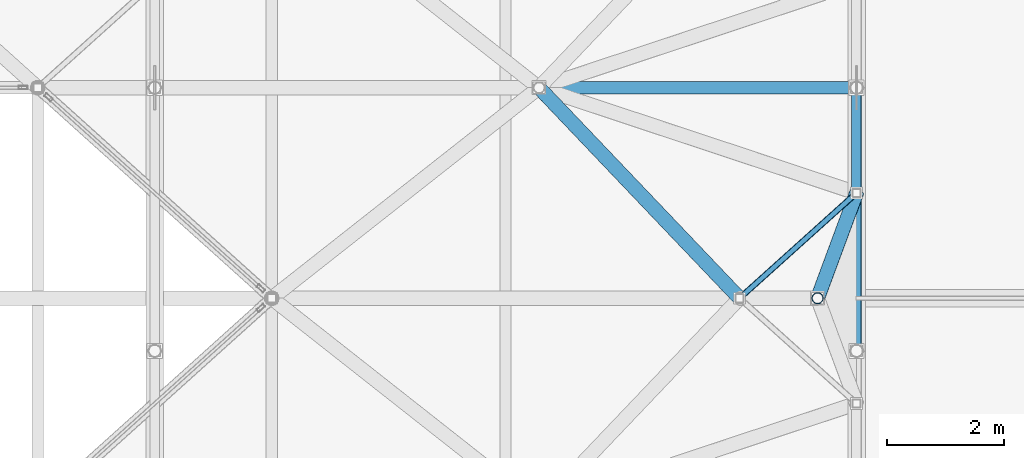
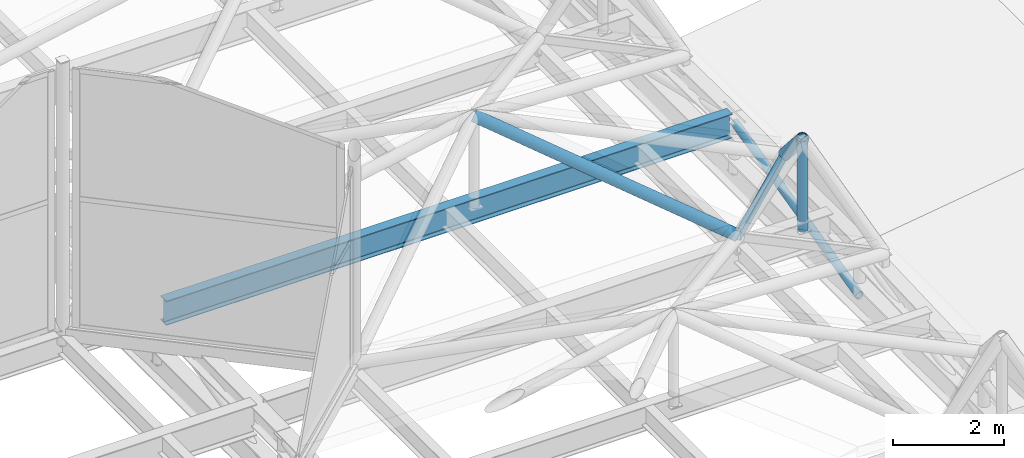
# One storey, part 135 of 239: 4 members, 2 beams.
"""IFC4 building model written with IfcOpenShell, lengths in metres."""

import ifcopenshell
import ifcopenshell.guid

model = None  # the IFC model being written
_history = None  # IfcOwnerHistory: only IFC2X3 demands one
_inside = {}  # id of a spatial element -> (the spatial element, [elements in it])
_under = {}  # id of a project, library or spatial element -> (it, [spatial elements below it])
_declared = {}  # id of a project -> (the project, [libraries it declares])
_typed = {}  # id of a type object -> (the type object, [elements of that type])
_made_of = {}  # id of a material, layer set ... -> (it, [elements and type objects made of it])


def new_model(schema):
    """Start an empty IFC model of exactly this schema.

    Asked for "IFC4X3", IfcOpenShell would pick the latest addendum, in which some entities
    have other attributes; the version numbers below select the first issue.
    IFC2X3 requires an IfcOwnerHistory on every rooted entity: one is made here for all.
    """
    global model, _history
    if schema == "IFC4X3":
        model = ifcopenshell.file(schema_version=(4, 3, 0, 0))
    else:
        model = ifcopenshell.file(schema=schema)
    _inside.clear()
    _under.clear()
    _declared.clear()
    _typed.clear()
    _made_of.clear()
    _history = None
    if model.schema == "IFC2X3":
        org = make("IfcOrganization", Name="unknown")
        user = make(
            "IfcPersonAndOrganization",
            ThePerson=make("IfcPerson", FamilyName="unknown"),
            TheOrganization=org,
        )
        app = make(
            "IfcApplication",
            ApplicationDeveloper=org,
            Version="unknown",
            ApplicationFullName="unknown",
            ApplicationIdentifier="unknown",
        )
        _history = make(
            "IfcOwnerHistory",
            OwningUser=user,
            OwningApplication=app,
            ChangeAction="ADDED",
            CreationDate=0,
        )
    return model


def make(cls, **values):
    """One entity of the class cls with the attributes given. An attribute that is None is left unset."""
    return model.create_entity(
        cls, **{name: value for name, value in values.items() if value is not None}
    )


def rooted(cls, **values):
    """An entity with a GlobalId (a new one), such as an element, a storey or a relation."""
    return make(cls, GlobalId=ifcopenshell.guid.new(), OwnerHistory=_history, **values)


def si_unit(unit_type, name, prefix=None):
    """IfcSIUnit, for example si_unit("LENGTHUNIT", "METRE", prefix="MILLI")."""
    return make("IfcSIUnit", UnitType=unit_type, Prefix=prefix, Name=name)


def assignment(units):
    """IfcUnitAssignment: the units of a project."""
    return None if units is None else make("IfcUnitAssignment", Units=units)


def point(xyz):
    """IfcCartesianPoint."""
    return None if xyz is None else make("IfcCartesianPoint", Coordinates=xyz)


def direction(xyz):
    """IfcDirection."""
    return None if xyz is None else make("IfcDirection", DirectionRatios=xyz)


def frame(location, z_axis=None, x_axis=None):
    """IfcAxis2Placement3D, a coordinate frame: its origin and axes. An axis left out is left unset."""
    return make(
        "IfcAxis2Placement3D",
        Location=point(location),
        Axis=direction(z_axis),
        RefDirection=direction(x_axis),
    )


def frame_2d(location, x_axis=None):
    """IfcAxis2Placement2D, a coordinate frame in the plane: its origin and x axis."""
    return make(
        "IfcAxis2Placement2D", Location=point(location), RefDirection=direction(x_axis)
    )


def origin():
    """The frame at (0, 0, 0) with its axes left unset."""
    return frame((0.0, 0.0, 0.0))


def origin_2d():
    """The frame at (0, 0) in the plane with its x axis left unset."""
    return frame_2d((0.0, 0.0))


def place(relative_to, where):
    """IfcLocalPlacement: puts the frame where relative to a parent placement (None: the world)."""
    return make(
        "IfcLocalPlacement", PlacementRelTo=relative_to, RelativePlacement=where
    )


def context(
    kind, dimensions, precision=None, world=None, true_north=None, identifier=None
):
    """IfcGeometricRepresentationContext, for example the 3D "Model" context."""
    return make(
        "IfcGeometricRepresentationContext",
        ContextIdentifier=identifier,
        ContextType=kind,
        CoordinateSpaceDimension=dimensions,
        Precision=precision,
        WorldCoordinateSystem=world,
        TrueNorth=true_north,
    )


def subcontext(parent, identifier, kind, view, scale=None):
    """IfcGeometricRepresentationSubContext, for example "Body" below "Model"."""
    return make(
        "IfcGeometricRepresentationSubContext",
        ContextIdentifier=identifier,
        ContextType=kind,
        ParentContext=parent,
        TargetScale=scale,
        TargetView=view,
    )


def project(units=None, contexts=None):
    """IfcProject with its units and contexts."""
    return rooted(
        "IfcProject",
        Name="project",
        RepresentationContexts=contexts,
        UnitsInContext=assignment(units),
    )


def spatial(cls, under=None, at=None, **own):
    """A site, building, storey or space (cls), placed at a placement, below another one or the project."""
    s = rooted(cls, ObjectPlacement=at, **own)
    if under is not None:
        _under.setdefault(under.id(), (under, []))[1].append(s)
    return s


def profile(cls, at=None, kind="AREA", **sizes):
    """A parametric profile (cls). Its sizes go by their IFC names, for example OverallWidth=200.0."""
    return make(cls, ProfileType=kind, Position=at, **sizes)


def hollow_rectangle(**sizes):
    """IfcRectangleHollowProfileDef."""
    return profile("IfcRectangleHollowProfileDef", **sizes)


def hollow_circle(**sizes):
    """IfcCircleHollowProfileDef."""
    return profile("IfcCircleHollowProfileDef", **sizes)


def i_section(**sizes):
    """IfcIShapeProfileDef."""
    return profile("IfcIShapeProfileDef", **sizes)


def extrude(swept, where, along, depth):
    """IfcExtrudedAreaSolid: the profile swept, set in the frame where, extruded along a direction by depth."""
    return make(
        "IfcExtrudedAreaSolid",
        SweptArea=swept,
        Position=where,
        ExtrudedDirection=direction(along),
        Depth=depth,
    )


def shape(context_of_items, identifier, shape_type, items):
    """IfcShapeRepresentation: the items that make up one representation, for example the "Body"."""
    return make(
        "IfcShapeRepresentation",
        ContextOfItems=context_of_items,
        RepresentationIdentifier=identifier,
        RepresentationType=shape_type,
        Items=items,
    )


def material(Name=None, Category=None):
    """IfcMaterial."""
    return make("IfcMaterial", Name=Name, Category=Category)


def material_profile(
    of_material, cross_section, Name=None, Category=None, Priority=None
):
    """IfcMaterialProfile: a cross section and its material."""
    return make(
        "IfcMaterialProfile",
        Name=Name,
        Material=of_material,
        Profile=cross_section,
        Priority=Priority,
        Category=Category,
    )


def profile_set(profiles, Name=None, composite=None):
    """IfcMaterialProfileSet."""
    return make(
        "IfcMaterialProfileSet",
        Name=Name,
        MaterialProfiles=profiles,
        CompositeProfile=composite,
    )


def made_of(thing, what):
    """Note that an element or type object is made of a material, layer set ...; save() writes the relation."""
    if what is not None:
        _made_of.setdefault(what.id(), (what, []))[1].append(thing)
    return thing


def type_object(cls, material=None, **own):
    """A type object (cls), such as IfcWallType, which elements share."""
    return made_of(rooted(cls, **own), material)


def element(
    cls,
    number,
    at=None,
    inside=None,
    cuts=None,
    type_object=None,
    material=None,
    context=None,
    identifier="Body",
    shape_type=None,
    held_by="IfcProductDefinitionShape",
    body=None,
    shapes=None,
    **own,
):
    """One element of the class cls, such as IfcWall. Its Tag is "e" and its number.

    at: its placement. inside: the storey or other place that contains it. cuts: it is an
    opening in that element (IfcRelVoidsElement). A single representation is given by context,
    identifier, shape_type and body (its items); several are given by shapes. held_by: the class
    of the entity that holds the representations. save() writes the other relations.
    """
    e = rooted(cls, Tag="e%d" % number, ObjectPlacement=at, **own)
    if body is not None:
        shapes = [shape(context, identifier, shape_type, body)]
    if shapes is not None:
        e.Representation = make(held_by, Representations=shapes)
    if inside is not None:
        _inside.setdefault(inside.id(), (inside, []))[1].append(e)
    if cuts is not None:
        rooted(
            "IfcRelVoidsElement", RelatingBuildingElement=cuts, RelatedOpeningElement=e
        )
    if type_object is not None:
        _typed.setdefault(type_object.id(), (type_object, []))[1].append(e)
    return made_of(e, material)


def aggregate(whole, parts):
    """IfcRelAggregates: a whole, such as a stair, and the parts it consists of."""
    return rooted("IfcRelAggregates", RelatingObject=whole, RelatedObjects=parts)


def save(model, path):
    """Write the relations noted so far, then the file.

    IfcRelAggregates (storeys below a building ...), IfcRelContainedInSpatialStructure (elements
    in a storey), IfcRelDefinesByType, IfcRelAssociatesMaterial and IfcRelDeclares: one each for
    every whole, place, type object, material and project.
    """
    for whole, parts in _under.values():
        aggregate(whole, parts)
    for where, things in _inside.values():
        rooted(
            "IfcRelContainedInSpatialStructure",
            RelatedElements=things,
            RelatingStructure=where,
        )
    for kind, things in _typed.values():
        rooted("IfcRelDefinesByType", RelatedObjects=things, RelatingType=kind)
    for what, things in _made_of.values():
        rooted("IfcRelAssociatesMaterial", RelatedObjects=things, RelatingMaterial=what)
    for by, libraries in _declared.values():
        rooted("IfcRelDeclares", RelatingContext=by, RelatedDefinitions=libraries)
    model.write(path)


model = new_model("IFC4")

# Units and contexts
model_context = context("Model", 3, precision=1e-05, world=origin(), true_north=direction((0.0, 1.0)))
body_context = subcontext(model_context, "Body", "Model", "MODEL_VIEW")
ifc_project = project(units=[si_unit("LENGTHUNIT", "METRE"), si_unit("AREAUNIT", "SQUARE_METRE"), si_unit("VOLUMEUNIT", "CUBIC_METRE"), si_unit("PLANEANGLEUNIT", "RADIAN"), si_unit("MASSUNIT", "GRAM", prefix="KILO")], contexts=[model_context])

# Site, building, storey
site_placement = place(None, origin())
site = spatial("IfcSite", under=ifc_project, at=site_placement, CompositionType="ELEMENT")
building_placement = place(site_placement, origin())
building = spatial("IfcBuilding", under=site, at=building_placement, Name="Dunvalen Ferry Terminal", CompositionType="ELEMENT")
storey_placement = place(building_placement, frame((0.0, 0.0, 9.840087890625)))
storey = spatial("IfcBuildingStorey", under=building, at=storey_placement, Name="L02", CompositionType="ELEMENT", Elevation=9.840087890625)

# Beams
ifc_material = material(Name="Steel S355", Category="steel")
ifc_material_profile_1 = material_profile(ifc_material, hollow_rectangle(XDim=0.10009765625, YDim=0.199951171875, WallThickness=0.008056640625, InnerFilletRadius=0.008056640625, OuterFilletRadius=0.01611328125, at=origin_2d()), Name="Steel S355")
ifc_profile_set_1 = profile_set([ifc_material_profile_1], Name="Steel S355")
beam_type_1 = type_object("IfcBeamType", Name="STR-BM-RHS200", PredefinedType="BEAM", material=ifc_profile_set_1)
beam_1_placement = place(storey_placement, frame((94.0, 64.800048828125, 1.099853515625), z_axis=(0.743285123004, 0.668974757313, 0.0), x_axis=(-0.668974757313, 0.743285123004, 0.0)))
element("IfcBeam", 1, at=beam_1_placement, inside=storey, type_object=beam_type_1, Name="HEX-42 Hexagonal Rim Beam 3", PredefinedType="BEAM", context=body_context, shape_type="SweptSolid", body=[
    extrude(hollow_rectangle(XDim=0.10009765625, YDim=0.199951171875, WallThickness=0.008056640625, InnerFilletRadius=0.008056640625, OuterFilletRadius=0.01611328125, at=origin_2d()), origin(), (0.0, 0.0, 1.0), 2.690673828125),
])
ifc_material_profile_2 = material_profile(ifc_material, i_section(OverallWidth=0.209228515625, OverallDepth=0.533203125, WebThickness=0.010009765625, FlangeThickness=0.015625, FilletRadius=0.0126953125, at=origin_2d()), Name="Steel S355")
ifc_profile_set_2 = profile_set([ifc_material_profile_2], Name="Steel S355")
beam_type_2 = type_object("IfcBeamType", Name="STR-BM-UKB533", PredefinedType="BEAM", material=ifc_profile_set_2)
beam_2_placement = place(storey_placement, frame((84.10009765625, 68.39990234375, 0.7333984375), z_axis=(1.0, 0.0, 0.0), x_axis=(0.0, 1.0, 0.0)))
element("IfcBeam", 2, at=beam_2_placement, inside=storey, type_object=beam_type_2, Name="Departure Hall Spine Girder B7.06", PredefinedType="BEAM", context=body_context, shape_type="SweptSolid", body=[
    extrude(i_section(OverallWidth=0.209228515625, OverallDepth=0.533203125, WebThickness=0.010009765625, FlangeThickness=0.015625, FilletRadius=0.0126953125, at=origin_2d()), origin(), (0.0, 0.0, 1.0), 11.7998046875),
])

# Members
ifc_material_profile_3 = material_profile(ifc_material, hollow_circle(Radius=0.084228515625, WallThickness=0.008056640625, at=origin_2d()), Name="Steel S355")
ifc_profile_set_3 = profile_set([ifc_material_profile_3], Name="Steel S355")
member_type_1 = type_object("IfcMemberType", Name="STR-MB-CHS168", PredefinedType="BRACE", material=ifc_profile_set_3)
member_1_placement = place(storey_placement, frame((96.0, 63.89990234375, -0.360107421875), z_axis=(0.0, 0.972383470914, 0.233388914677), x_axis=(-1.0, 0.0, 0.0)))
element("IfcMember", 3, at=member_1_placement, inside=storey, type_object=member_type_1, Name="Departure Hall Arch Web Diagonal 08.4", PredefinedType="BRACE", context=body_context, shape_type="SweptSolid", body=[
    extrude(hollow_circle(Radius=0.084228515625, WallThickness=0.008056640625, at=origin_2d()), origin(), (0.0, 0.0, 1.0), 4.627685546875),
])
ifc_material_profile_4 = material_profile(ifc_material, hollow_circle(Radius=0.096923828125, WallThickness=0.008056640625, at=origin_2d()), Name="Steel S355")
ifc_profile_set_4 = profile_set([ifc_material_profile_4], Name="Steel S355")
member_type_2 = type_object("IfcMemberType", Name="STR-MB-CHS193", PredefinedType="STRUT", material=ifc_profile_set_4)
member_2_placement = place(storey_placement, frame((95.333251953125, 64.800048828125, 0.77001953125), z_axis=(0.0, 0.0, 1.0), x_axis=(1.0, 0.0, 0.0)))
element("IfcMember", 4, at=member_2_placement, inside=storey, type_object=member_type_2, Name="HEX-47 Pyramid Apex Strut", PredefinedType="STRUT", context=body_context, shape_type="SweptSolid", body=[
    extrude(hollow_circle(Radius=0.096923828125, WallThickness=0.008056640625, at=origin_2d()), origin(), (0.0, 0.0, 1.0), 1.994873046875),
])
ifc_material_profile_5 = material_profile(ifc_material, hollow_circle(Radius=0.122314453125, WallThickness=0.010009765625, at=origin_2d()), Name="Steel S355")
ifc_profile_set_5 = profile_set([ifc_material_profile_5], Name="Steel S355")
member_type_3 = type_object("IfcMemberType", Name="STR-MB-CHS244", PredefinedType="STRUT", material=ifc_profile_set_5)
member_3_placement = place(storey_placement, frame((94.0, 64.800048828125, 1.099853515625), z_axis=(-0.653979846008, 0.686622958516, 0.317583491155), x_axis=(-0.724109901608, -0.689684602114, 0.0)))
element("IfcMember", 5, at=member_3_placement, inside=storey, type_object=member_type_3, Name="HEX-42 Pyramid Hip Rafter 3", PredefinedType="STRUT", context=body_context, shape_type="SweptSolid", body=[
    extrude(hollow_circle(Radius=0.122314453125, WallThickness=0.010009765625, at=origin_2d()), origin(), (0.0, 0.0, 1.0), 5.242919921875),
])
member_4_placement = place(storey_placement, frame((96.0, 66.60009765625, 1.099853515625), z_axis=(-0.262387740737, -0.708379645717, 0.65524877035), x_axis=(0.937738020856, -0.34734335209, 0.0)))
element("IfcMember", 6, at=member_4_placement, inside=storey, type_object=member_type_3, Name="HEX-47 Pyramid Hip Rafter 1", PredefinedType="STRUT", context=body_context, shape_type="SweptSolid", body=[
    extrude(hollow_circle(Radius=0.122314453125, WallThickness=0.010009765625, at=origin_2d()), origin(), (0.0, 0.0, 1.0), 2.541015625),
])

save(model, "model.ifc")
